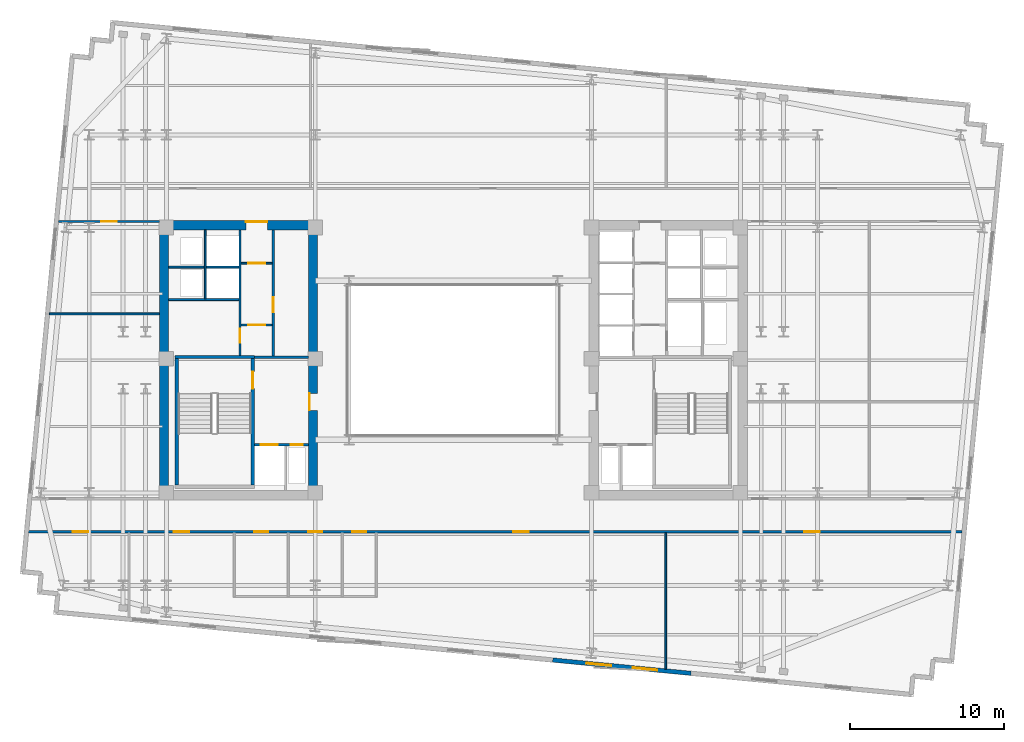
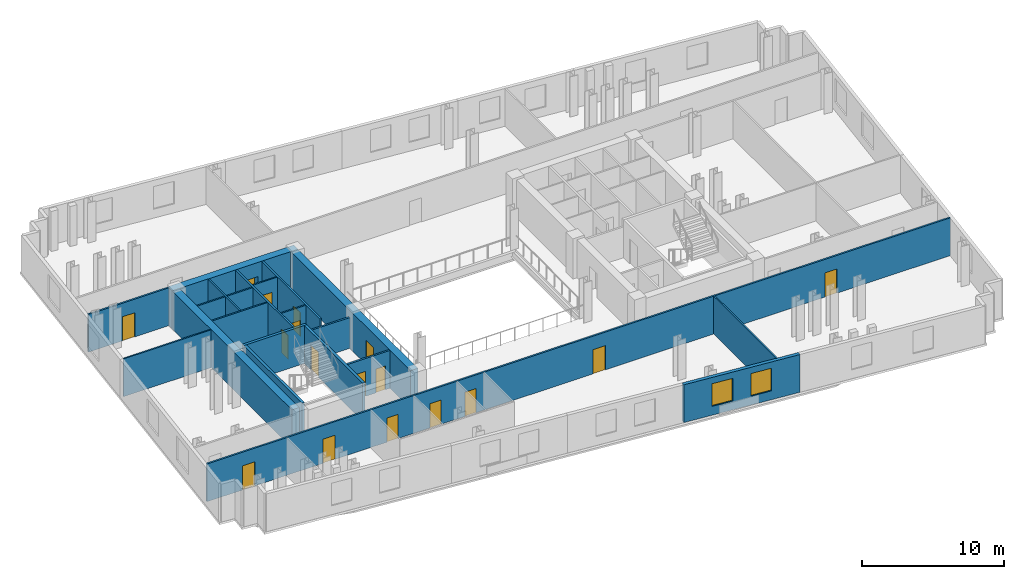
# One storey, part 4 of 9: 21 walls, 17 doors, 2 windows, 19 openings.
"""IFC4 building model written with IfcOpenShell, lengths in metres."""

from ifc_helpers import new_model, si_unit, direction, frame, frame_2d, origin, place, context, subcontext, project, spatial, rectangle, extrude, material, layer, layer_set, type_object, element, fill, save


model = new_model("IFC4")

# Units and contexts
model_context = context("Model", 3, precision=1e-05, world=origin(), true_north=direction((0.0, 1.0)))
body_context = subcontext(model_context, "Body", "Model", "MODEL_VIEW")
ifc_project = project(units=[si_unit("LENGTHUNIT", "METRE"), si_unit("AREAUNIT", "SQUARE_METRE"), si_unit("VOLUMEUNIT", "CUBIC_METRE"), si_unit("PLANEANGLEUNIT", "RADIAN"), si_unit("MASSUNIT", "GRAM", prefix="KILO")], contexts=[model_context])

# Site, building, storey
site_placement = place(None, origin())
site = spatial("IfcSite", under=ifc_project, at=site_placement, CompositionType="ELEMENT")
building_placement = place(site_placement, origin())
building = spatial("IfcBuilding", under=site, at=building_placement, Name="Velakula Bourse", CompositionType="ELEMENT")
storey_placement = place(building_placement, frame((0.0, 0.0, 167.300048828125)))
storey = spatial("IfcBuildingStorey", under=building, at=storey_placement, Name="L45", CompositionType="ELEMENT", Elevation=167.300048828125)

# Wall, opening, door
ifc_material_1 = material(Name="Concrete M50 (fck 50 MPa)", Category="concrete")
ifc_layer_1 = layer(ifc_material_1, 0.2099609375, Name="Concrete M50 (fck 50 MPa)", Category="concrete")
ifc_layer_set_1 = layer_set([ifc_layer_1], Name="Concrete M50 (fck 50 MPa)")
wall_type_1 = type_object("IfcWallType", Name="WL-CORE-210", PredefinedType="SHEAR", material=ifc_layer_set_1)
wall_1_placement = place(storey_placement, frame((-12.9951171875, -8.10009765625, 0.0), z_axis=(0.0, 0.0, 1.0), x_axis=(0.0, 1.0, 0.0)))
wall_1 = element("IfcWall", 1, at=wall_1_placement, inside=storey, type_object=wall_type_1, Name="L45 Core W Stairwell Shear Wall IN", PredefinedType="SHEAR", context=body_context, shape_type="SweptSolid", body=[
    extrude(rectangle(XDim=8.2001953125, YDim=0.2099609375, at=frame_2d((4.10009765625, 0.0))), origin(), (0.0, 0.0, 1.0), 3.27001953125),
])
opening_1_placement = place(wall_1_placement, frame((6.25, 0.0, 0.0)))
opening_1 = element("IfcOpeningElement", 2, at=opening_1_placement, cuts=wall_1, Name="Opening D-STW1", PredefinedType="OPENING", context=body_context, shape_type="SweptSolid", body=[
    extrude(rectangle(XDim=1.10009765625, YDim=2.14990234375, at=frame_2d((0.550048828125, 1.074951171875))), frame((0.0, 0.114990234375, 0.0), z_axis=(0.0, -1.0, 0.0), x_axis=(1.0, 0.0, 0.0)), (0.0, 0.0, 1.0), 0.22998046875),
])
ifc_material_2 = material(Name="Galvanised painted hollow steel fire door", Category="steel")
door_type_1 = type_object("IfcDoorType", Name="DR-FD120-1100x2150", OperationType="NOTDEFINED", PredefinedType="DOOR", material=ifc_material_2)
door_1_placement = place(opening_1_placement, origin())
door_1 = element("IfcDoor", 3, at=door_1_placement, inside=storey, type_object=door_type_1, Name="L45 Stair ST-W1 Fire Door", OperationType="SINGLE_SWING_LEFT", OverallHeight=2.14990234375, OverallWidth=1.10009765625, PredefinedType="DOOR", context=body_context, shape_type="SweptSolid", body=[
    extrude(rectangle(XDim=1.10009765625, YDim=2.14990234375, at=frame_2d((0.550048828125, 1.074951171875))), frame((0.0, 0.02490234375, 0.0), z_axis=(0.0, -1.0, 0.0), x_axis=(1.0, 0.0, 0.0)), (0.0, 0.0, 1.0), 0.050048828125),
])
fill(opening_1, door_1)

# Walls
wall_2_placement = place(storey_placement, frame((-17.925048828125, -8.10009765625, 0.0), z_axis=(0.0, 0.0, 1.0), x_axis=(0.0, 1.0, 0.0)))
element("IfcWall", 4, at=wall_2_placement, inside=storey, type_object=wall_type_1, Name="L45 Core W Stairwell Shear Wall OUT", PredefinedType="SHEAR", context=body_context, shape_type="SweptSolid", body=[
    extrude(rectangle(XDim=8.2001953125, YDim=0.2099609375, at=frame_2d((4.10009765625, 0.0))), origin(), (0.0, 0.0, 1.0), 3.27001953125),
])
wall_3_placement = place(storey_placement, frame((-12.889892578125, 0.205078125, 0.0), z_axis=(0.0, 0.0, 1.0), x_axis=(-1.0, 0.0, 0.0)))
element("IfcWall", 5, at=wall_3_placement, inside=storey, type_object=wall_type_1, Name="L45 Core W Stairwell Shear Wall N", PredefinedType="SHEAR", context=body_context, shape_type="SweptSolid", body=[
    extrude(rectangle(XDim=5.14013671875, YDim=0.2099609375, at=frame_2d((2.570068359375, 0.0))), origin(), (0.0, 0.0, 1.0), 3.27001953125),
])

# Wall, opening, door
ifc_material_3 = material(Name="Concrete M70 (fck 70 MPa)", Category="concrete")
ifc_layer_2 = layer(ifc_material_3, 0.60009765625, Name="Concrete M70 (fck 70 MPa)", Category="concrete")
ifc_layer_set_2 = layer_set([ifc_layer_2], Name="Concrete M70 (fck 70 MPa)")
wall_type_2 = type_object("IfcWallType", Name="WL-CORE-600", PredefinedType="SHEAR", material=ifc_layer_set_2)
wall_4_placement = place(storey_placement, frame((-19.050048828125, 8.75, 0.0), z_axis=(0.0, 0.0, 1.0), x_axis=(1.0, 0.0, 0.0)))
wall_4 = element("IfcWall", 6, at=wall_4_placement, inside=storey, type_object=wall_type_2, Name="L45 Core W Shear Wall N", PredefinedType="SHEAR", context=body_context, shape_type="SweptSolid", body=[
    extrude(rectangle(XDim=10.25, YDim=0.60009765625, at=frame_2d((5.125, 0.0))), origin(), (0.0, 0.0, 1.0), 3.27001953125),
])
opening_2_placement = place(wall_4_placement, frame((5.60009765625, 0.0, 0.0)))
opening_2 = element("IfcOpeningElement", 7, at=opening_2_placement, cuts=wall_4, Name="Opening D-LLW", PredefinedType="OPENING", context=body_context, shape_type="SweptSolid", body=[
    extrude(rectangle(XDim=1.39990234375, YDim=2.050048828125, at=frame_2d((0.699951171875, 1.02490234375))), frame((0.0, 0.31005859375, 0.0), z_axis=(0.0, -1.0, 0.0), x_axis=(1.0, 0.0, 0.0)), (0.0, 0.0, 1.0), 0.6201171875),
])
ifc_material_4 = material(Name="Fire-rated hardwood flush architectural door", Category="wood")
door_type_2 = type_object("IfcDoorType", Name="DR-DBL-FD60-1400", OperationType="DOUBLE_DOOR_SINGLE_SWING", PredefinedType="DOOR", material=ifc_material_4)
door_2_placement = place(opening_2_placement, origin())
door_2 = element("IfcDoor", 8, at=door_2_placement, inside=storey, type_object=door_type_2, Name="L45 Core W Lift Lobby Corridor Double Door", OperationType="DOUBLE_DOOR_SINGLE_SWING", OverallHeight=2.050048828125, OverallWidth=1.39990234375, PredefinedType="DOOR", context=body_context, shape_type="SweptSolid", body=[
    extrude(rectangle(XDim=1.39990234375, YDim=2.050048828125, at=frame_2d((0.699951171875, 1.02490234375))), frame((0.0, 0.2451171875, 0.0), z_axis=(0.0, -1.0, 0.0), x_axis=(1.0, 0.0, 0.0)), (0.0, 0.0, 1.0), 0.050048828125),
])
fill(opening_2, door_2)

# Wall
wall_5_placement = place(storey_placement, frame((-18.75, -8.449951171875, 0.0), z_axis=(0.0, 0.0, 1.0), x_axis=(0.0, 1.0, 0.0)))
element("IfcWall", 9, at=wall_5_placement, inside=storey, type_object=wall_type_2, Name="L45 Core W Shear Wall W", PredefinedType="SHEAR", context=body_context, shape_type="SweptSolid", body=[
    extrude(rectangle(XDim=16.89990234375, YDim=0.60009765625, at=frame_2d((8.449951171875, 0.0))), origin(), (0.0, 0.0, 1.0), 3.27001953125),
])

# Wall, opening, door
wall_6_placement = place(storey_placement, frame((-9.10009765625, -8.449951171875, 0.0), z_axis=(0.0, 0.0, 1.0), x_axis=(0.0, 1.0, 0.0)))
wall_6 = element("IfcWall", 10, at=wall_6_placement, inside=storey, type_object=wall_type_2, Name="L45 Core W Shear Wall E", PredefinedType="SHEAR", context=body_context, shape_type="SweptSolid", body=[
    extrude(rectangle(XDim=16.89990234375, YDim=0.60009765625, at=frame_2d((8.449951171875, 0.0))), origin(), (0.0, 0.0, 1.0), 3.27001953125),
])
opening_3_placement = place(wall_6_placement, frame((5.199951171875, 0.0, 0.0)))
opening_3 = element("IfcOpeningElement", 11, at=opening_3_placement, cuts=wall_6, Name="Opening D-FLW", PredefinedType="OPENING", context=body_context, shape_type="SweptSolid", body=[
    extrude(rectangle(XDim=1.10009765625, YDim=2.080078125, at=frame_2d((0.550048828125, 1.0400390625))), frame((0.0, 0.31005859375, 0.0), z_axis=(0.0, -1.0, 0.0), x_axis=(1.0, 0.0, 0.0)), (0.0, 0.0, 1.0), 0.6201171875),
])
door_type_3 = type_object("IfcDoorType", Name="DR-FD120-1100", OperationType="NOTDEFINED", PredefinedType="DOOR", material=ifc_material_2)
door_3_placement = place(opening_3_placement, origin())
door_3 = element("IfcDoor", 12, at=door_3_placement, inside=storey, type_object=door_type_3, Name="L45 Firefighting Lobby W Corridor Fire Door", OperationType="SINGLE_SWING_LEFT", OverallHeight=2.080078125, OverallWidth=1.10009765625, PredefinedType="DOOR", context=body_context, shape_type="SweptSolid", body=[
    extrude(rectangle(XDim=1.10009765625, YDim=2.080078125, at=frame_2d((0.550048828125, 1.0400390625))), frame((0.0, 0.2548828125, 0.0), z_axis=(0.0, -1.0, 0.0), x_axis=(1.0, 0.0, 0.0)), (0.0, 0.0, 1.0), 0.050048828125),
])
fill(opening_3, door_3)

# Wall, openings, windows
ifc_material_5 = material(Name="Red kilned clay facing brick masonry", Category="masonry")
ifc_layer_3 = layer(ifc_material_5, 0.280029296875, Name="Red kilned clay facing brick masonry", Category="masonry")
ifc_layer_set_3 = layer_set([ifc_layer_3], Name="Red kilned clay facing brick masonry")
wall_type_3 = type_object("IfcWallType", Name="WL-EXT-BRK-280", PredefinedType="STANDARD", material=ifc_layer_set_3)
wall_7_placement = place(storey_placement, frame((15.398681640625, -20.295654296875, 0.0), z_axis=(0.0, 0.0, 1.0), x_axis=(-0.995394455533, 0.09586385082, 0.0)))
wall_7 = element("IfcWall", 13, at=wall_7_placement, inside=storey, type_object=wall_type_3, Name="L45 S Brick Spandrel Wall B4", PredefinedType="STANDARD", context=body_context, shape_type="SweptSolid", body=[
    extrude(rectangle(XDim=9.000244140625, YDim=0.280029296875, at=frame_2d((4.5, 0.0))), origin(), (0.0, 0.0, 1.0), 3.25),
])
opening_4_placement = place(wall_7_placement, frame((2.199951171875, 0.0, 0.760009765625)))
opening_4 = element("IfcOpeningElement", 14, at=opening_4_placement, cuts=wall_7, Name="Opening W-02", PredefinedType="OPENING", context=body_context, shape_type="SweptSolid", body=[
    extrude(rectangle(XDim=1.60009765625, YDim=1.949951171875, at=frame_2d((0.800048828125, 0.97509765625))), frame((0.0, 0.14990234375, 0.0), z_axis=(0.0, -1.0, 0.0), x_axis=(1.0, 0.0, 0.0)), (0.0, 0.0, 1.0), 0.300048828125),
])
opening_5_placement = place(wall_7_placement, frame((5.199951171875, 0.0, 0.760009765625)))
opening_5 = element("IfcOpeningElement", 15, at=opening_5_placement, cuts=wall_7, Name="Opening W-02", PredefinedType="OPENING", context=body_context, shape_type="SweptSolid", body=[
    extrude(rectangle(XDim=1.60009765625, YDim=1.949951171875, at=frame_2d((0.800048828125, 0.97509765625))), frame((0.0, 0.14990234375, 0.0), z_axis=(0.0, -1.0, 0.0), x_axis=(1.0, 0.0, 0.0)), (0.0, 0.0, 1.0), 0.300048828125),
])
ifc_material_6 = material(Name="Double-glazed solar-control Low-E glass", Category="glass")
window_type = type_object("IfcWindowType", Name="WIN-TWR-1600x2100", PartitioningType="SINGLE_PANEL", PredefinedType="WINDOW", material=ifc_material_6)
window_1_placement = place(opening_4_placement, origin())
window_1 = element("IfcWindow", 16, at=window_1_placement, inside=storey, type_object=window_type, Name="L45 Deep-Set Recessed Window 1", OverallHeight=1.949951171875, OverallWidth=1.60009765625, PartitioningType="SINGLE_PANEL", PredefinedType="WINDOW", context=body_context, shape_type="SweptSolid", body=[
    extrude(rectangle(XDim=1.60009765625, YDim=1.949951171875, at=frame_2d((0.800048828125, 0.97509765625))), frame((0.0, 0.030029296875, 0.0), z_axis=(0.0, -1.0, 0.0), x_axis=(1.0, 0.0, 0.0)), (0.0, 0.0, 1.0), 0.06005859375),
])
fill(opening_4, window_1)
window_2_placement = place(opening_5_placement, origin())
window_2 = element("IfcWindow", 17, at=window_2_placement, inside=storey, type_object=window_type, Name="L45 Deep-Set Recessed Window 2", OverallHeight=1.949951171875, OverallWidth=1.60009765625, PartitioningType="SINGLE_PANEL", PredefinedType="WINDOW", context=body_context, shape_type="SweptSolid", body=[
    extrude(rectangle(XDim=1.60009765625, YDim=1.949951171875, at=frame_2d((0.800048828125, 0.97509765625))), frame((0.0, 0.030029296875, 0.0), z_axis=(0.0, -1.0, 0.0), x_axis=(1.0, 0.0, 0.0)), (0.0, 0.0, 1.0), 0.06005859375),
])
fill(opening_5, window_2)

# Wall, opening, door
ifc_material_7 = material(Name="Fire-rated double-layer gypsum drywall partition", Category="gypsum")
ifc_layer_4 = layer(ifc_material_7, 0.1201171875, Name="Fire-rated double-layer gypsum drywall partition", Category="gypsum")
ifc_layer_set_4 = layer_set([ifc_layer_4], Name="Fire-rated double-layer gypsum drywall partition")
wall_type_4 = type_object("IfcWallType", Name="WL-PART-120", PredefinedType="STANDARD", material=ifc_layer_set_4)
wall_8_placement = place(storey_placement, frame((-13.75, 2.280029296875, 0.0), z_axis=(0.0, 0.0, 1.0), x_axis=(1.0, 0.0, 0.0)))
wall_8 = element("IfcWall", 18, at=wall_8_placement, inside=storey, type_object=wall_type_4, Name="L45 Interior Partition WL-CRW-L45-LL-K3A", PredefinedType="STANDARD", context=body_context, shape_type="SweptSolid", body=[
    extrude(rectangle(XDim=2.0, YDim=0.1201171875, at=frame_2d((1.0, 0.0))), origin(), (0.0, 0.0, 1.0), 3.25),
])
opening_6_placement = place(wall_8_placement, frame((0.449951171875, 0.0, 0.0)))
opening_6 = element("IfcOpeningElement", 19, at=opening_6_placement, cuts=wall_8, Name="Opening D-LK3", PredefinedType="OPENING", context=body_context, shape_type="SweptSolid", body=[
    extrude(rectangle(XDim=1.10009765625, YDim=2.10009765625, at=frame_2d((0.550048828125, 1.050048828125))), frame((0.0, 0.070068359375, 0.0), z_axis=(0.0, -1.0, 0.0), x_axis=(1.0, 0.0, 0.0)), (0.0, 0.0, 1.0), 0.14013671875),
])
door_type_4 = type_object("IfcDoorType", Name="DR-FD60-1100x2100", OperationType="NOTDEFINED", PredefinedType="DOOR", material=ifc_material_4)
door_4_placement = place(opening_6_placement, origin())
door_4 = element("IfcDoor", 20, at=door_4_placement, inside=storey, type_object=door_type_4, Name="L45 Core W Lift Lobby Vestibule Door A", OperationType="SINGLE_SWING_RIGHT", OverallHeight=2.10009765625, OverallWidth=1.10009765625, PredefinedType="DOOR", context=body_context, shape_type="SweptSolid", body=[
    extrude(rectangle(XDim=1.10009765625, YDim=2.10009765625, at=frame_2d((0.550048828125, 1.050048828125))), frame((0.0, 0.02490234375, 0.0), z_axis=(0.0, -1.0, 0.0), x_axis=(1.0, 0.0, 0.0)), (0.0, 0.0, 1.0), 0.050048828125),
])
fill(opening_6, door_4)

wall_9_placement = place(storey_placement, frame((-13.75, 6.280029296875, 0.0), z_axis=(0.0, 0.0, 1.0), x_axis=(1.0, 0.0, 0.0)))
wall_9 = element("IfcWall", 21, at=wall_9_placement, inside=storey, type_object=wall_type_4, Name="L45 Interior Partition WL-CRW-L45-LL-K3B", PredefinedType="STANDARD", context=body_context, shape_type="SweptSolid", body=[
    extrude(rectangle(XDim=2.0, YDim=0.1201171875, at=frame_2d((1.0, 0.0))), origin(), (0.0, 0.0, 1.0), 3.25),
])
opening_7_placement = place(wall_9_placement, frame((0.449951171875, 0.0, 0.0)))
opening_7 = element("IfcOpeningElement", 22, at=opening_7_placement, cuts=wall_9, Name="Opening D-LK3", PredefinedType="OPENING", context=body_context, shape_type="SweptSolid", body=[
    extrude(rectangle(XDim=1.10009765625, YDim=2.10009765625, at=frame_2d((0.550048828125, 1.050048828125))), frame((0.0, 0.070068359375, 0.0), z_axis=(0.0, -1.0, 0.0), x_axis=(1.0, 0.0, 0.0)), (0.0, 0.0, 1.0), 0.14013671875),
])
door_5_placement = place(opening_7_placement, origin())
door_5 = element("IfcDoor", 23, at=door_5_placement, inside=storey, type_object=door_type_4, Name="L45 Core W Lift Lobby Vestibule Door B", OperationType="SINGLE_SWING_RIGHT", OverallHeight=2.10009765625, OverallWidth=1.10009765625, PredefinedType="DOOR", context=body_context, shape_type="SweptSolid", body=[
    extrude(rectangle(XDim=1.10009765625, YDim=2.10009765625, at=frame_2d((0.550048828125, 1.050048828125))), frame((0.0, 0.02490234375, 0.0), z_axis=(0.0, -1.0, 0.0), x_axis=(1.0, 0.0, 0.0)), (0.0, 0.0, 1.0), 0.050048828125),
])
fill(opening_7, door_5)

# Walls
wall_10_placement = place(storey_placement, frame((-18.449951171875, 3.919921875, 0.0), z_axis=(0.0, 0.0, 1.0), x_axis=(1.0, 0.0, 0.0)))
element("IfcWall", 24, at=wall_10_placement, inside=storey, type_object=wall_type_4, Name="L45 Interior Partition WL-CRW-L45-HI-S", PredefinedType="STANDARD", context=body_context, shape_type="SweptSolid", body=[
    extrude(rectangle(XDim=4.550048828125, YDim=0.1201171875, at=frame_2d((2.27490234375, 0.0))), origin(), (0.0, 0.0, 1.0), 3.25),
])
wall_11_placement = place(storey_placement, frame((-18.449951171875, 6.030029296875, 0.0), z_axis=(0.0, 0.0, 1.0), x_axis=(1.0, 0.0, 0.0)))
element("IfcWall", 25, at=wall_11_placement, inside=storey, type_object=wall_type_4, Name="L45 Interior Partition WL-CRW-L45-RIS-MID", PredefinedType="STANDARD", context=body_context, shape_type="SweptSolid", body=[
    extrude(rectangle(XDim=2.300048828125, YDim=0.1201171875, at=frame_2d((1.14990234375, 0.0))), origin(), (0.0, 0.0, 1.0), 3.25),
])
wall_12_placement = place(storey_placement, frame((-16.074951171875, 3.97998046875, 0.0), z_axis=(0.0, 0.0, 1.0), x_axis=(0.0, 1.0, 0.0)))
element("IfcWall", 26, at=wall_12_placement, inside=storey, type_object=wall_type_4, Name="L45 Interior Partition WL-CRW-L45-RIS-F", PredefinedType="STANDARD", context=body_context, shape_type="SweptSolid", body=[
    extrude(rectangle(XDim=4.469970703125, YDim=0.1201171875, at=frame_2d((2.23486328125, 0.0))), origin(), (0.0, 0.0, 1.0), 3.25),
])
wall_13_placement = place(storey_placement, frame((-16.0, 6.030029296875, 0.0), z_axis=(0.0, 0.0, 1.0), x_axis=(1.0, 0.0, 0.0)))
element("IfcWall", 27, at=wall_13_placement, inside=storey, type_object=wall_type_4, Name="L45 Interior Partition WL-CRW-L45-HI-DIV", PredefinedType="STANDARD", context=body_context, shape_type="SweptSolid", body=[
    extrude(rectangle(XDim=2.10009765625, YDim=0.1201171875, at=frame_2d((1.050048828125, 0.0))), origin(), (0.0, 0.0, 1.0), 3.25),
])
wall_14_placement = place(storey_placement, frame((13.76611328125, -20.017822265625, 0.0), z_axis=(0.0, 0.0, 1.0), x_axis=(0.0, 1.0, 0.0)))
element("IfcWall", 28, at=wall_14_placement, inside=storey, type_object=wall_type_4, Name="L45 Interior Partition WL-INT-L45-SR-D6", PredefinedType="STANDARD", context=body_context, shape_type="SweptSolid", body=[
    extrude(rectangle(XDim=8.827880859375, YDim=0.1201171875, at=frame_2d((4.4140625, 0.0))), origin(), (0.0, 0.0, 1.0), 3.25),
])
wall_15_placement = place(storey_placement, frame((-26.18017578125, 3.0, 0.0), z_axis=(0.0, 0.0, 1.0), x_axis=(1.0, 0.0, 0.0)))
element("IfcWall", 29, at=wall_15_placement, inside=storey, type_object=wall_type_4, Name="L45 Interior Partition WL-INT-L45-W-H", PredefinedType="STANDARD", context=body_context, shape_type="SweptSolid", body=[
    extrude(rectangle(XDim=7.130126953125, YDim=0.1201171875, at=frame_2d((3.56494140625, 0.0))), origin(), (0.0, 0.0, 1.0), 3.25),
])

# Wall, openings, doors
ifc_layer_5 = layer(ifc_material_7, 0.139892578125, Name="Fire-rated double-layer gypsum drywall partition", Category="gypsum")
ifc_layer_set_5 = layer_set([ifc_layer_5], Name="Fire-rated double-layer gypsum drywall partition")
wall_type_5 = type_object("IfcWallType", Name="WL-PART-140", PredefinedType="STANDARD", material=ifc_layer_set_5)
wall_16_placement = place(storey_placement, frame((-27.539794921875, -11.1201171875, 0.0), z_axis=(0.0, 0.0, 1.0), x_axis=(1.0, 0.0, 0.0)))
wall_16 = element("IfcWall", 30, at=wall_16_placement, inside=storey, type_object=wall_type_5, Name="L45 Interior Partition WL-INT-L45-S-CORR", PredefinedType="STANDARD", context=body_context, shape_type="SweptSolid", body=[
    extrude(rectangle(XDim=60.518798828125, YDim=0.139892578125, at=frame_2d((30.25927734375, 0.0))), origin(), (0.0, 0.0, 1.0), 3.25),
])
opening_8_placement = place(wall_16_placement, frame((14.629638671875, 0.0, 0.0)))
opening_8 = element("IfcOpeningElement", 31, at=opening_8_placement, cuts=wall_16, Name="Opening D-WT1", PredefinedType="OPENING", context=body_context, shape_type="SweptSolid", body=[
    extrude(rectangle(XDim=0.919921875, YDim=2.080078125, at=frame_2d((0.4599609375, 1.0400390625))), frame((0.0, 0.079833984375, 0.0), z_axis=(0.0, -1.0, 0.0), x_axis=(1.0, 0.0, 0.0)), (0.0, 0.0, 1.0), 0.159912109375),
])
opening_9_placement = place(wall_16_placement, frame((18.129638671875, 0.0, 0.0)))
opening_9 = element("IfcOpeningElement", 32, at=opening_9_placement, cuts=wall_16, Name="Opening D-WT1", PredefinedType="OPENING", context=body_context, shape_type="SweptSolid", body=[
    extrude(rectangle(XDim=0.919921875, YDim=2.080078125, at=frame_2d((0.4599609375, 1.0400390625))), frame((0.0, 0.079833984375, 0.0), z_axis=(0.0, -1.0, 0.0), x_axis=(1.0, 0.0, 0.0)), (0.0, 0.0, 1.0), 0.159912109375),
])
opening_10_placement = place(wall_16_placement, frame((20.979736328125, 0.0, 0.0)))
opening_10 = element("IfcOpeningElement", 33, at=opening_10_placement, cuts=wall_16, Name="Opening D-WC1", PredefinedType="OPENING", context=body_context, shape_type="SweptSolid", body=[
    extrude(rectangle(XDim=0.919921875, YDim=2.080078125, at=frame_2d((0.4599609375, 1.0400390625))), frame((0.0, 0.079833984375, 0.0), z_axis=(0.0, -1.0, 0.0), x_axis=(1.0, 0.0, 0.0)), (0.0, 0.0, 1.0), 0.159912109375),
])
opening_11_placement = place(wall_16_placement, frame((2.8837890625, 0.0, 0.0)))
opening_11 = element("IfcOpeningElement", 34, at=opening_11_placement, cuts=wall_16, Name="Opening D-OF1", PredefinedType="OPENING", context=body_context, shape_type="SweptSolid", body=[
    extrude(rectangle(XDim=1.0, YDim=2.080078125, at=frame_2d((0.5, 1.0400390625))), frame((0.0, 0.079833984375, 0.0), z_axis=(0.0, -1.0, 0.0), x_axis=(1.0, 0.0, 0.0)), (0.0, 0.0, 1.0), 0.159912109375),
])
opening_12_placement = place(wall_16_placement, frame((9.427734375, 0.0, 0.0)))
opening_12 = element("IfcOpeningElement", 35, at=opening_12_placement, cuts=wall_16, Name="Opening D-OF1", PredefinedType="OPENING", context=body_context, shape_type="SweptSolid", body=[
    extrude(rectangle(XDim=1.0, YDim=2.080078125, at=frame_2d((0.5, 1.0400390625))), frame((0.0, 0.079833984375, 0.0), z_axis=(0.0, -1.0, 0.0), x_axis=(1.0, 0.0, 0.0)), (0.0, 0.0, 1.0), 0.159912109375),
])
opening_13_placement = place(wall_16_placement, frame((31.422607421875, 0.0, 0.0)))
opening_13 = element("IfcOpeningElement", 36, at=opening_13_placement, cuts=wall_16, Name="Opening D-OF1", PredefinedType="OPENING", context=body_context, shape_type="SweptSolid", body=[
    extrude(rectangle(XDim=1.0, YDim=2.080078125, at=frame_2d((0.5, 1.0400390625))), frame((0.0, 0.079833984375, 0.0), z_axis=(0.0, -1.0, 0.0), x_axis=(1.0, 0.0, 0.0)), (0.0, 0.0, 1.0), 0.159912109375),
])
opening_14_placement = place(wall_16_placement, frame((50.2861328125, 0.0, 0.0)))
opening_14 = element("IfcOpeningElement", 37, at=opening_14_placement, cuts=wall_16, Name="Opening D-OF1", PredefinedType="OPENING", context=body_context, shape_type="SweptSolid", body=[
    extrude(rectangle(XDim=1.0, YDim=2.080078125, at=frame_2d((0.5, 1.0400390625))), frame((0.0, 0.079833984375, 0.0), z_axis=(0.0, -1.0, 0.0), x_axis=(1.0, 0.0, 0.0)), (0.0, 0.0, 1.0), 0.159912109375),
])
door_type_5 = type_object("IfcDoorType", Name="DR-OFF-1000", OperationType="NOTDEFINED", PredefinedType="DOOR", material=ifc_material_4)
door_6_placement = place(opening_11_placement, origin())
door_6 = element("IfcDoor", 38, at=door_6_placement, inside=storey, type_object=door_type_5, Name="L45 Traders Bistro Restaurant Door", OperationType="SINGLE_SWING_LEFT", OverallHeight=2.080078125, OverallWidth=1.0, PredefinedType="DOOR", context=body_context, shape_type="SweptSolid", body=[
    extrude(rectangle(XDim=1.0, YDim=2.080078125, at=frame_2d((0.5, 1.0400390625))), frame((0.0, 0.02490234375, 0.0), z_axis=(0.0, -1.0, 0.0), x_axis=(1.0, 0.0, 0.0)), (0.0, 0.0, 1.0), 0.050048828125),
])
fill(opening_11, door_6)
door_7_placement = place(opening_12_placement, origin())
door_7 = element("IfcDoor", 39, at=door_7_placement, inside=storey, type_object=door_type_5, Name="L45 Asset Allocation Office Door", OperationType="SINGLE_SWING_RIGHT", OverallHeight=2.080078125, OverallWidth=1.0, PredefinedType="DOOR", context=body_context, shape_type="SweptSolid", body=[
    extrude(rectangle(XDim=1.0, YDim=2.080078125, at=frame_2d((0.5, 1.0400390625))), frame((0.0, 0.02490234375, 0.0), z_axis=(0.0, -1.0, 0.0), x_axis=(1.0, 0.0, 0.0)), (0.0, 0.0, 1.0), 0.050048828125),
])
fill(opening_12, door_7)
door_8_placement = place(opening_13_placement, origin())
door_8 = element("IfcDoor", 40, at=door_8_placement, inside=storey, type_object=door_type_5, Name="L45 Arbitration Conference Room Door", OperationType="SINGLE_SWING_LEFT", OverallHeight=2.080078125, OverallWidth=1.0, PredefinedType="DOOR", context=body_context, shape_type="SweptSolid", body=[
    extrude(rectangle(XDim=1.0, YDim=2.080078125, at=frame_2d((0.5, 1.0400390625))), frame((0.0, 0.02490234375, 0.0), z_axis=(0.0, -1.0, 0.0), x_axis=(1.0, 0.0, 0.0)), (0.0, 0.0, 1.0), 0.050048828125),
])
fill(opening_13, door_8)
door_9_placement = place(opening_14_placement, origin())
door_9 = element("IfcDoor", 41, at=door_9_placement, inside=storey, type_object=door_type_5, Name="L45 Tea Room Kitchenette Door", OperationType="SINGLE_SWING_RIGHT", OverallHeight=2.080078125, OverallWidth=1.0, PredefinedType="DOOR", context=body_context, shape_type="SweptSolid", body=[
    extrude(rectangle(XDim=1.0, YDim=2.080078125, at=frame_2d((0.5, 1.0400390625))), frame((0.0, 0.02490234375, 0.0), z_axis=(0.0, -1.0, 0.0), x_axis=(1.0, 0.0, 0.0)), (0.0, 0.0, 1.0), 0.050048828125),
])
fill(opening_14, door_9)
door_type_6 = type_object("IfcDoorType", Name="DR-WC-950", OperationType="NOTDEFINED", PredefinedType="DOOR", material=ifc_material_4)
door_10_placement = place(opening_8_placement, origin())
door_10 = element("IfcDoor", 42, at=door_10_placement, inside=storey, type_object=door_type_6, Name="L45 Male Staff Toilet Door", OperationType="SINGLE_SWING_RIGHT", OverallHeight=2.080078125, OverallWidth=0.919921875, PredefinedType="DOOR", context=body_context, shape_type="SweptSolid", body=[
    extrude(rectangle(XDim=0.919921875, YDim=2.080078125, at=frame_2d((0.4599609375, 1.0400390625))), frame((0.0, 0.02490234375, 0.0), z_axis=(0.0, -1.0, 0.0), x_axis=(1.0, 0.0, 0.0)), (0.0, 0.0, 1.0), 0.050048828125),
])
fill(opening_8, door_10)
door_11_placement = place(opening_9_placement, origin())
door_11 = element("IfcDoor", 43, at=door_11_placement, inside=storey, type_object=door_type_6, Name="L45 Female Staff Toilet Door", OperationType="SINGLE_SWING_LEFT", OverallHeight=2.080078125, OverallWidth=0.919921875, PredefinedType="DOOR", context=body_context, shape_type="SweptSolid", body=[
    extrude(rectangle(XDim=0.919921875, YDim=2.080078125, at=frame_2d((0.4599609375, 1.0400390625))), frame((0.0, 0.02490234375, 0.0), z_axis=(0.0, -1.0, 0.0), x_axis=(1.0, 0.0, 0.0)), (0.0, 0.0, 1.0), 0.050048828125),
])
fill(opening_9, door_11)
door_12_placement = place(opening_10_placement, origin())
door_12 = element("IfcDoor", 44, at=door_12_placement, inside=storey, type_object=door_type_6, Name="L45 Accessible WC Door", OperationType="SINGLE_SWING_RIGHT", OverallHeight=2.080078125, OverallWidth=0.919921875, PredefinedType="DOOR", context=body_context, shape_type="SweptSolid", body=[
    extrude(rectangle(XDim=0.919921875, YDim=2.080078125, at=frame_2d((0.4599609375, 1.0400390625))), frame((0.0, 0.02490234375, 0.0), z_axis=(0.0, -1.0, 0.0), x_axis=(1.0, 0.0, 0.0)), (0.0, 0.0, 1.0), 0.050048828125),
])
fill(opening_10, door_12)

# Wall, opening, door
wall_17_placement = place(storey_placement, frame((-25.604248046875, 8.97998046875, 0.0), z_axis=(0.0, 0.0, 1.0), x_axis=(1.0, 0.0, 0.0)))
wall_17 = element("IfcWall", 45, at=wall_17_placement, inside=storey, type_object=wall_type_5, Name="L45 Interior Partition WL-INT-L45-W-NC", PredefinedType="STANDARD", context=body_context, shape_type="SweptSolid", body=[
    extrude(rectangle(XDim=6.55419921875, YDim=0.139892578125, at=frame_2d((3.277099609375, 0.0))), origin(), (0.0, 0.0, 1.0), 3.25),
])
opening_15_placement = place(wall_17_placement, frame((2.777099609375, 0.0, 0.0)))
opening_15 = element("IfcOpeningElement", 46, at=opening_15_placement, cuts=wall_17, Name="Opening D-OF1", PredefinedType="OPENING", context=body_context, shape_type="SweptSolid", body=[
    extrude(rectangle(XDim=1.0, YDim=2.080078125, at=frame_2d((0.5, 1.0400390625))), frame((0.0, 0.079833984375, 0.0), z_axis=(0.0, -1.0, 0.0), x_axis=(1.0, 0.0, 0.0)), (0.0, 0.0, 1.0), 0.159912109375),
])
door_13_placement = place(opening_15_placement, origin())
door_13 = element("IfcDoor", 47, at=door_13_placement, inside=storey, type_object=door_type_5, Name="L45 General Counsel Office Door", OperationType="SINGLE_SWING_LEFT", OverallHeight=2.080078125, OverallWidth=1.0, PredefinedType="DOOR", context=body_context, shape_type="SweptSolid", body=[
    extrude(rectangle(XDim=1.0, YDim=2.080078125, at=frame_2d((0.5, 1.0400390625))), frame((0.0, 0.02490234375, 0.0), z_axis=(0.0, -1.0, 0.0), x_axis=(1.0, 0.0, 0.0)), (0.0, 0.0, 1.0), 0.050048828125),
])
fill(opening_15, door_13)

# Wall, openings, doors
ifc_material_8 = material(Name="Autoclaved aerated concrete blockwork masonry", Category="masonry")
ifc_layer_6 = layer(ifc_material_8, 0.14990234375, Name="Autoclaved aerated concrete blockwork masonry", Category="masonry")
ifc_layer_set_6 = layer_set([ifc_layer_6], Name="Autoclaved aerated concrete blockwork masonry")
wall_type_6 = type_object("IfcWallType", Name="WL-SHAFT-150", PredefinedType="STANDARD", material=ifc_layer_set_6)
wall_18_placement = place(storey_placement, frame((-12.89501953125, -5.47509765625, 0.0), z_axis=(0.0, 0.0, 1.0), x_axis=(1.0, 0.0, 0.0)))
wall_18 = element("IfcWall", 48, at=wall_18_placement, inside=storey, type_object=wall_type_6, Name="L45 Interior Partition WL-CRW-L45-FFL-N", PredefinedType="STANDARD", context=body_context, shape_type="SweptSolid", body=[
    extrude(rectangle(XDim=3.4951171875, YDim=0.14990234375, at=frame_2d((1.74755859375, 0.0))), origin(), (0.0, 0.0, 1.0), 3.25),
])
opening_16_placement = place(wall_18_placement, frame((0.419921875, 0.0, 0.0)))
opening_16 = element("IfcOpeningElement", 49, at=opening_16_placement, cuts=wall_18, Name="Opening LD-FFL-1", PredefinedType="OPENING", context=body_context, shape_type="SweptSolid", body=[
    extrude(rectangle(XDim=1.10009765625, YDim=2.14990234375, at=frame_2d((0.550048828125, 1.074951171875))), frame((0.0, 0.0849609375, 0.0), z_axis=(0.0, -1.0, 0.0), x_axis=(1.0, 0.0, 0.0)), (0.0, 0.0, 1.0), 0.169921875),
])
opening_17_placement = place(wall_18_placement, frame((2.3701171875, 0.0, 0.0)))
opening_17 = element("IfcOpeningElement", 50, at=opening_17_placement, cuts=wall_18, Name="Opening D-RS1", PredefinedType="OPENING", context=body_context, shape_type="SweptSolid", body=[
    extrude(rectangle(XDim=0.75, YDim=2.050048828125, at=frame_2d((0.375, 1.02490234375))), frame((0.0, 0.0849609375, 0.0), z_axis=(0.0, -1.0, 0.0), x_axis=(1.0, 0.0, 0.0)), (0.0, 0.0, 1.0), 0.169921875),
])
door_type_7 = type_object("IfcDoorType", Name="DR-RISER-800", OperationType="NOTDEFINED", PredefinedType="DOOR", material=ifc_material_2)
door_14_placement = place(opening_17_placement, origin())
door_14 = element("IfcDoor", 51, at=door_14_placement, inside=storey, type_object=door_type_7, Name="L45 Fire Riser Access Door", OperationType="SINGLE_SWING_LEFT", OverallHeight=2.050048828125, OverallWidth=0.75, PredefinedType="DOOR", context=body_context, shape_type="SweptSolid", body=[
    extrude(rectangle(XDim=0.75, YDim=2.050048828125, at=frame_2d((0.375, 1.02490234375))), frame((0.0, 0.02490234375, 0.0), z_axis=(0.0, -1.0, 0.0), x_axis=(1.0, 0.0, 0.0)), (0.0, 0.0, 1.0), 0.050048828125),
])
fill(opening_17, door_14)
ifc_material_9 = material(Name="Brushed grade 316 stainless steel", Category="steel")
door_type_8 = type_object("IfcDoorType", Name="DR-SLIDE-FFL-1100", OperationType="DOUBLE_DOOR_SLIDING", PredefinedType="DOOR", material=ifc_material_9)
door_15_placement = place(opening_16_placement, origin())
door_15 = element("IfcDoor", 52, at=door_15_placement, inside=storey, type_object=door_type_8, Name="L45 Firefighting Lift FFL-1 Sliding Landing Door", OperationType="DOUBLE_DOOR_SLIDING", OverallHeight=2.14990234375, OverallWidth=1.10009765625, PredefinedType="DOOR", context=body_context, shape_type="SweptSolid", body=[
    extrude(rectangle(XDim=1.10009765625, YDim=2.14990234375, at=frame_2d((0.550048828125, 1.074951171875))), frame((0.0, 0.02490234375, 0.0), z_axis=(0.0, -1.0, 0.0), x_axis=(1.0, 0.0, 0.0)), (0.0, 0.0, 1.0), 0.050048828125),
])
fill(opening_16, door_15)

# Wall
wall_19_placement = place(storey_placement, frame((-12.889892578125, 0.18994140625, 0.0), z_axis=(0.0, 0.0, 1.0), x_axis=(1.0, 0.0, 0.0)))
element("IfcWall", 53, at=wall_19_placement, inside=storey, type_object=wall_type_6, Name="L45 Interior Partition WL-CRW-L45-FF-TOP", PredefinedType="STANDARD", context=body_context, shape_type="SweptSolid", body=[
    extrude(rectangle(XDim=3.489990234375, YDim=0.14990234375, at=frame_2d((1.7451171875, 0.0))), origin(), (0.0, 0.0, 1.0), 2.64501953125),
])

# Wall, opening, door
wall_20_placement = place(storey_placement, frame((-11.675048828125, 0.27001953125, 0.0), z_axis=(0.0, 0.0, 1.0), x_axis=(0.0, 1.0, 0.0)))
wall_20 = element("IfcWall", 54, at=wall_20_placement, inside=storey, type_object=wall_type_6, Name="L45 Interior Partition WL-CRW-L45-BANK-F", PredefinedType="STANDARD", context=body_context, shape_type="SweptSolid", body=[
    extrude(rectangle(XDim=8.179931640625, YDim=0.14990234375, at=frame_2d((4.08984375, 0.0))), origin(), (0.0, 0.0, 1.0), 3.25),
])
opening_18_placement = place(wall_20_placement, frame((2.85009765625, 0.0, 0.0)))
opening_18 = element("IfcOpeningElement", 55, at=opening_18_placement, cuts=wall_20, Name="Opening D-RC4", PredefinedType="OPENING", context=body_context, shape_type="SweptSolid", body=[
    extrude(rectangle(XDim=0.949951171875, YDim=2.050048828125, at=frame_2d((0.47509765625, 1.02490234375))), frame((0.0, 0.0849609375, 0.0), z_axis=(0.0, -1.0, 0.0), x_axis=(1.0, 0.0, 0.0)), (0.0, 0.0, 1.0), 0.169921875),
])
door_type_9 = type_object("IfcDoorType", Name="DR-FD60-950x2050", OperationType="NOTDEFINED", PredefinedType="DOOR", material=ifc_material_4)
door_16_placement = place(opening_18_placement, origin())
door_16 = element("IfcDoor", 56, at=door_16_placement, inside=storey, type_object=door_type_9, Name="L45 Reclaimed Multi-Bay Archive Room Door", OperationType="SINGLE_SWING_RIGHT", OverallHeight=2.050048828125, OverallWidth=0.949951171875, PredefinedType="DOOR", context=body_context, shape_type="SweptSolid", body=[
    extrude(rectangle(XDim=0.949951171875, YDim=2.050048828125, at=frame_2d((0.47509765625, 1.02490234375))), frame((0.0, 0.02490234375, 0.0), z_axis=(0.0, -1.0, 0.0), x_axis=(1.0, 0.0, 0.0)), (0.0, 0.0, 1.0), 0.050048828125),
])
fill(opening_18, door_16)

wall_21_placement = place(storey_placement, frame((-13.824951171875, 0.27001953125, 0.0), z_axis=(0.0, 0.0, 1.0), x_axis=(0.0, 1.0, 0.0)))
wall_21 = element("IfcWall", 57, at=wall_21_placement, inside=storey, type_object=wall_type_6, Name="L45 Interior Partition WL-CRW-L45-OUT-F", PredefinedType="STANDARD", context=body_context, shape_type="SweptSolid", body=[
    extrude(rectangle(XDim=8.179931640625, YDim=0.14990234375, at=frame_2d((4.08984375, 0.0))), origin(), (0.0, 0.0, 1.0), 3.25),
])
opening_19_placement = place(wall_21_placement, frame((0.85009765625, 0.0, 0.0)))
opening_19 = element("IfcOpeningElement", 58, at=opening_19_placement, cuts=wall_21, Name="Opening D-CR3", PredefinedType="OPENING", context=body_context, shape_type="SweptSolid", body=[
    extrude(rectangle(XDim=0.89990234375, YDim=2.050048828125, at=frame_2d((0.449951171875, 1.02490234375))), frame((0.0, 0.0849609375, 0.0), z_axis=(0.0, -1.0, 0.0), x_axis=(1.0, 0.0, 0.0)), (0.0, 0.0, 1.0), 0.169921875),
])
door_type_10 = type_object("IfcDoorType", Name="DR-INT-900", OperationType="NOTDEFINED", PredefinedType="DOOR", material=ifc_material_4)
door_17_placement = place(opening_19_placement, origin())
door_17 = element("IfcDoor", 59, at=door_17_placement, inside=storey, type_object=door_type_10, Name="L45 Core Stationery and Mail Room Door", OperationType="SINGLE_SWING_RIGHT", OverallHeight=2.050048828125, OverallWidth=0.89990234375, PredefinedType="DOOR", context=body_context, shape_type="SweptSolid", body=[
    extrude(rectangle(XDim=0.89990234375, YDim=2.050048828125, at=frame_2d((0.449951171875, 1.02490234375))), frame((0.0, 0.02490234375, 0.0), z_axis=(0.0, -1.0, 0.0), x_axis=(1.0, 0.0, 0.0)), (0.0, 0.0, 1.0), 0.050048828125),
])
fill(opening_19, door_17)

save(model, "model.ifc")
